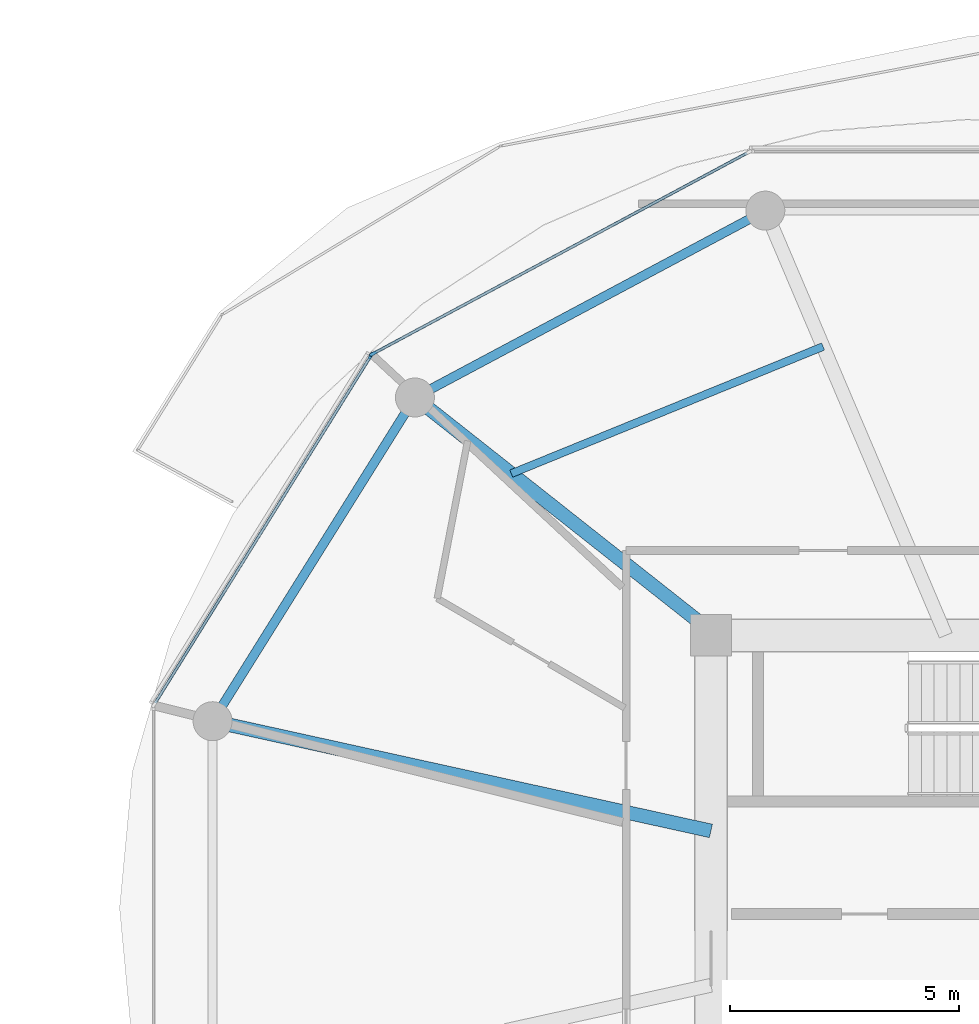
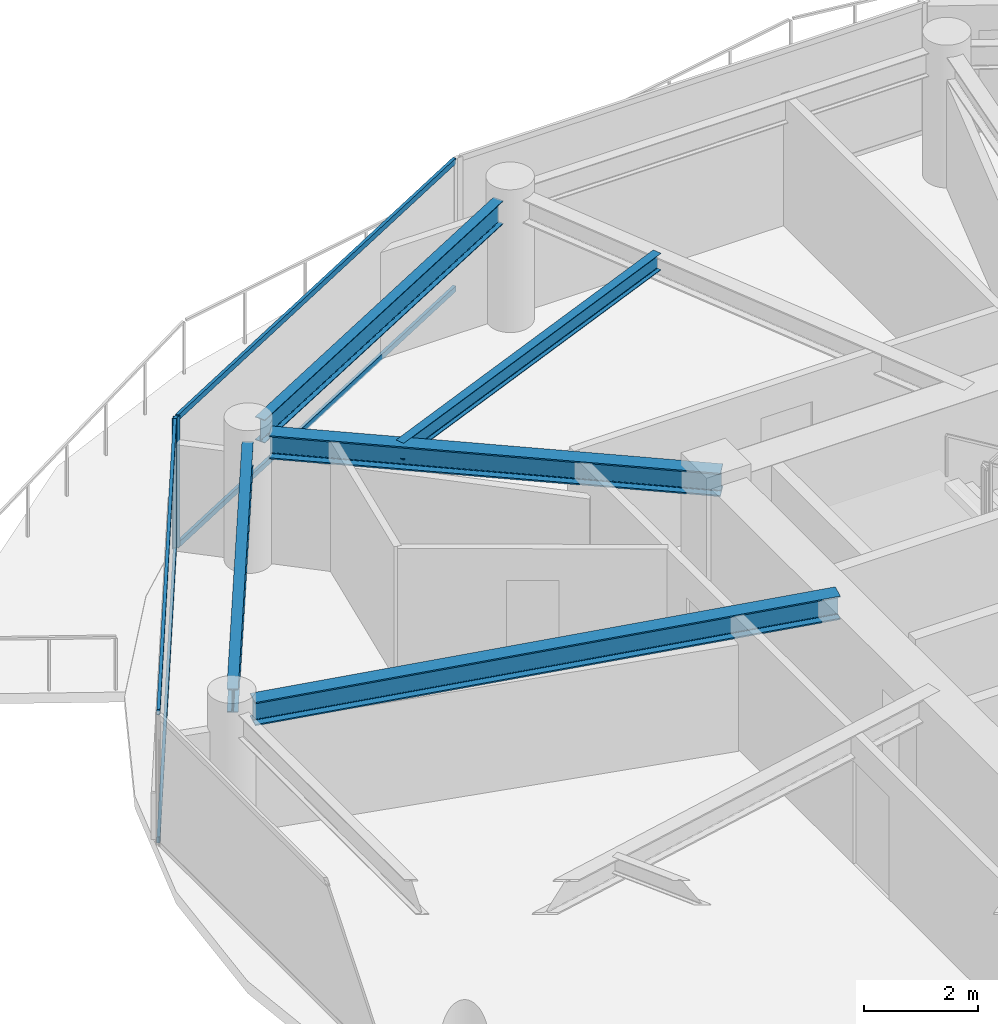
# One storey, part 8 of 24: 6 members, 5 beams, 2 elements without a shape of their own.
"""IFC4 building model written with IfcOpenShell, lengths in metres."""

from ifc_helpers import new_model, si_unit, direction, frame, origin, origin_2d, place, context, subcontext, project, spatial, rectangle, i_section, extrude, source, transform, mapped, material, layer, layer_set, material_profile, profile_set, type_object, type_shapes, element, aggregate, save


model = new_model("IFC4")

# Units and contexts
model_context = context("Model", 3, precision=1e-05, world=origin(), true_north=direction((0.0, 1.0)))
body_context = subcontext(model_context, "Body", "Model", "MODEL_VIEW")
ifc_project = project(units=[si_unit("LENGTHUNIT", "METRE"), si_unit("AREAUNIT", "SQUARE_METRE"), si_unit("VOLUMEUNIT", "CUBIC_METRE"), si_unit("PLANEANGLEUNIT", "RADIAN"), si_unit("MASSUNIT", "GRAM", prefix="KILO")], contexts=[model_context])

# Site, building, storey
site_placement = place(None, origin())
site = spatial("IfcSite", under=ifc_project, at=site_placement, CompositionType="ELEMENT")
building_placement = place(site_placement, origin())
building = spatial("IfcBuilding", under=site, at=building_placement, Name="Norrkilde Senior Care Towers", CompositionType="ELEMENT")
storey_placement = place(building_placement, frame((0.0, 0.0, 111.5)))
storey = spatial("IfcBuildingStorey", under=building, at=storey_placement, Name="L34", CompositionType="ELEMENT", Elevation=111.5)

# Beams
ifc_material_1 = material(Name="Steel S355", Category="steel")
ifc_material_profile_1 = material_profile(ifc_material_1, i_section(OverallWidth=0.199951171875, OverallDepth=0.5, WebThickness=0.01025390625, FlangeThickness=0.01611328125, FilletRadius=0.02099609375, at=origin_2d()), Name="IPE 500")
ifc_profile_set_1 = profile_set([ifc_material_profile_1], Name="Steel S355")
beam_type_1 = type_object("IfcBeamType", Name="Perimeter Ring Spandrel Z2 IPE500", PredefinedType="SPANDREL", material=ifc_profile_set_1)
shared_shape_1 = source(origin(), body_context, "Body", "SweptSolid", [
    extrude(i_section(OverallWidth=0.199951171875, OverallDepth=0.5, WebThickness=0.01025390625, FlangeThickness=0.01611328125, FilletRadius=0.02099609375, at=origin_2d()), origin(), (0.0, 0.0, 1.0), 7.55615234375),
])
beam_1_placement = place(storey_placement, frame((13.689697265625, 10.810546875, 2.5400390625), z_axis=(-0.529981514254, -0.848009194849, 0.0), x_axis=(0.848009194849, -0.529981514254, 0.0)))
element("IfcBeam", 1, at=beam_1_placement, inside=storey, type_object=beam_type_1, Name="L34 Drum E Perimeter Spandrel 05", PredefinedType="SPANDREL", context=body_context, shape_type="MappedRepresentation", body=[
    mapped(shared_shape_1, transform((0.0, 0.0, 0.0), x_axis=(1.0, 0.0, 0.0), y_axis=(0.0, 1.0, 0.0), z_axis=(0.0, 0.0, 1.0), scale=1.0)),
])
ifc_material_profile_2 = material_profile(ifc_material_1, i_section(OverallWidth=0.300048828125, OverallDepth=0.5, WebThickness=0.014404296875, FlangeThickness=0.028076171875, FilletRadius=0.027099609375, at=origin_2d()), Name="HEB 500")
ifc_profile_set_2 = profile_set([ifc_material_profile_2], Name="Steel S355")
beam_type_2 = type_object("IfcBeamType", Name="Radial Floor Beam Z2 HEB500", PredefinedType="BEAM", material=ifc_profile_set_2)
shared_shape_2 = source(origin(), body_context, "Body", "SweptSolid", [
    extrude(i_section(OverallWidth=0.300048828125, OverallDepth=0.5, WebThickness=0.014404296875, FlangeThickness=0.028076171875, FilletRadius=0.027099609375, at=origin_2d()), origin(), (0.0, 0.0, 1.0), 10.744384765625),
])
beam_2_placement = place(storey_placement, frame((20.35009765625, 1.683837890625, 2.5400390625), z_axis=(-0.976618711422, 0.214978818724, 0.0), x_axis=(-0.214978818724, -0.976618711422, 0.0)))
element("IfcBeam", 2, at=beam_2_placement, inside=storey, type_object=beam_type_2, Name="L34 Drum E Radial Floor Beam 06", PredefinedType="BEAM", context=body_context, shape_type="MappedRepresentation", body=[
    mapped(shared_shape_2, transform((0.0, 0.0, 0.0), x_axis=(1.0, 0.0, 0.0), y_axis=(0.0, 1.0, 0.0), z_axis=(0.0, 0.0, 1.0), scale=1.0)),
])
shared_shape_3 = source(origin(), body_context, "Body", "SweptSolid", [
    extrude(i_section(OverallWidth=0.199951171875, OverallDepth=0.5, WebThickness=0.01025390625, FlangeThickness=0.01611328125, FilletRadius=0.02099609375, at=origin_2d()), origin(), (0.0, 0.0, 1.0), 7.892333984375),
])
type_shapes(beam_type_1, [shared_shape_1, shared_shape_3])
beam_3_placement = place(storey_placement, frame((21.197509765625, 15.0322265625, 2.5400390625), z_axis=(-0.882350372282, -0.47059305194, 0.0), x_axis=(0.47059305194, -0.882350372282, 0.0)))
element("IfcBeam", 3, at=beam_3_placement, inside=storey, type_object=beam_type_1, Name="L34 Drum E Perimeter Spandrel 04", PredefinedType="SPANDREL", context=body_context, shape_type="MappedRepresentation", body=[
    mapped(shared_shape_3, transform((0.0, 0.0, 0.0), x_axis=(1.0, 0.0, 0.0), y_axis=(0.0, 1.0, 0.0), z_axis=(0.0, 0.0, 1.0), scale=1.0)),
])
shared_shape_4 = source(origin(), body_context, "Body", "SweptSolid", [
    extrude(i_section(OverallWidth=0.300048828125, OverallDepth=0.5, WebThickness=0.014404296875, FlangeThickness=0.028076171875, FilletRadius=0.027099609375, at=origin_2d()), origin(), (0.0, 0.0, 1.0), 7.985595703125),
])
type_shapes(beam_type_2, [shared_shape_2, shared_shape_4])
beam_4_placement = place(storey_placement, frame((20.463623046875, 5.949951171875, 2.5400390625), z_axis=(-0.784858505144, 0.619675017169, 0.0), x_axis=(-0.619675017169, -0.784858505144, 0.0)))
element("IfcBeam", 4, at=beam_4_placement, inside=storey, type_object=beam_type_2, Name="L34 Drum E Radial Floor Beam 05", PredefinedType="BEAM", context=body_context, shape_type="MappedRepresentation", body=[
    mapped(shared_shape_4, transform((0.0, 0.0, 0.0), x_axis=(1.0, 0.0, 0.0), y_axis=(0.0, 1.0, 0.0), z_axis=(0.0, 0.0, 1.0), scale=1.0)),
])
ifc_material_profile_3 = material_profile(ifc_material_1, i_section(OverallWidth=0.169921875, OverallDepth=0.360107421875, WebThickness=0.008056640625, FlangeThickness=0.0126953125, FilletRadius=0.01806640625, at=origin_2d()), Name="IPE 360")
ifc_profile_set_3 = profile_set([ifc_material_profile_3], Name="Steel S355")
beam_type_3 = type_object("IfcBeamType", Name="Secondary Floor Joist IPE360", PredefinedType="JOIST", material=ifc_profile_set_3)
shared_shape_5 = source(origin(), body_context, "Body", "SweptSolid", [
    extrude(i_section(OverallWidth=0.169921875, OverallDepth=0.360107421875, WebThickness=0.008056640625, FlangeThickness=0.0126953125, FilletRadius=0.01806640625, at=origin_2d()), origin(), (0.0, 0.0, 1.0), 7.343505859375),
])
type_shapes(beam_type_3, [shared_shape_5])
beam_5_placement = place(storey_placement, frame((22.79638671875, 12.2490234375, 2.610107421875), z_axis=(-0.926021784767, -0.377470070519, 0.0), x_axis=(0.377470070519, -0.926021784767, 0.0)))
element("IfcBeam", 5, at=beam_5_placement, inside=storey, type_object=beam_type_3, Name="L34 Drum E Secondary Floor Joist 2", PredefinedType="JOIST", context=body_context, shape_type="MappedRepresentation", body=[
    mapped(shared_shape_5, transform((0.0, 0.0, 0.0), x_axis=(1.0, 0.0, 0.0), y_axis=(0.0, 1.0, 0.0), z_axis=(0.0, 0.0, 1.0), scale=1.0)),
])

# Curtain wall, member
ifc_material_2 = material(Name="Triple Low-E Insulated Glazing", Category="glass")
ifc_layer = layer(ifc_material_2, 0.195068359375)
ifc_layer_set = layer_set([ifc_layer], Name="Triple Low-E Insulated Glazing")
curtain_wall_type = type_object("IfcCurtainWallType", Name="CW3 Zone 2 Assisted Living Curtain Wall", PredefinedType="NOTDEFINED", material=ifc_layer_set)
curtain_wall_1_placement = place(storey_placement, origin())
curtain_wall_1 = element("IfcCurtainWall", 6, at=curtain_wall_1_placement, inside=storey, type_object=curtain_wall_type, Name="L34 Drum E Curtain Wall 03", PredefinedType="NOTDEFINED")
ifc_material_3 = material(Name="Anodised Aluminium", Category="aluminium")
ifc_material_profile_4 = material_profile(ifc_material_3, rectangle(XDim=0.06494140625, YDim=0.159912109375, at=origin_2d()), Name="ALU MULL 65x160")
ifc_profile_set_4 = profile_set([ifc_material_profile_4], Name="Anodised Aluminium")
member_type_1 = type_object("IfcMemberType", Name="Curtain Wall Mullion Z1-Z2 65x160", PredefinedType="MULLION", material=ifc_profile_set_4)
shared_shape_6 = source(origin(), body_context, "Body", "SweptSolid", [
    extrude(rectangle(XDim=0.06494140625, YDim=0.159912109375, at=origin_2d()), origin(), (0.0, 0.0, 1.0), 2.7900390625),
])
type_shapes(member_type_1, [shared_shape_6])
member_1_placement = place(storey_placement, frame((12.98193359375, 12.0927734375, 0.0), z_axis=(0.0, 0.0, 1.0), x_axis=(-0.472769402511, 0.881186184668, 0.0)))
member_1 = element("IfcMember", 7, at=member_1_placement, type_object=member_type_1, Name="CW-3 mullion 1", PredefinedType="MULLION", context=body_context, shape_type="MappedRepresentation", body=[
    mapped(shared_shape_6, transform((0.0, 0.0, 0.0), x_axis=(1.0, 0.0, 0.0), y_axis=(0.0, 1.0, 0.0), z_axis=(0.0, 0.0, 1.0), scale=1.0)),
])

# Curtain wall, members
curtain_wall_2_placement = place(storey_placement, origin())
curtain_wall_2 = element("IfcCurtainWall", 8, at=curtain_wall_2_placement, inside=storey, type_object=curtain_wall_type, Name="L34 Drum E Curtain Wall 04", PredefinedType="NOTDEFINED")
member_2_placement = place(storey_placement, frame((12.936279296875, 12.0498046875, 0.0), z_axis=(0.0, 0.0, 1.0), x_axis=(-0.849410171862, 0.527733228002, 0.0)))
member_2 = element("IfcMember", 9, at=member_2_placement, type_object=member_type_1, Name="CW-3 mullion 2", PredefinedType="MULLION", context=body_context, shape_type="MappedRepresentation", body=[
    mapped(shared_shape_6, transform((0.0, 0.0, 0.0), x_axis=(1.0, 0.0, 0.0), y_axis=(0.0, 1.0, 0.0), z_axis=(0.0, 0.0, 1.0), scale=1.0)),
])
ifc_material_profile_5 = material_profile(ifc_material_3, rectangle(XDim=0.06005859375, YDim=0.1201171875, at=origin_2d()), Name="ALU TRAN 60x120")
ifc_profile_set_5 = profile_set([ifc_material_profile_5], Name="Anodised Aluminium")
member_type_2 = type_object("IfcMemberType", Name="Curtain Wall Transom Typical 60x120", PredefinedType="USERDEFINED", material=ifc_profile_set_5)
shared_shape_7 = source(origin(), body_context, "Body", "SweptSolid", [
    extrude(rectangle(XDim=0.06005859375, YDim=0.1201171875, at=origin_2d()), origin(), (0.0, 0.0, 1.0), 8.88427734375),
])
member_3_placement = place(storey_placement, frame((8.23046875, 4.475830078125, 0.030029296875), z_axis=(0.527749293309, 0.849400190377, 0.0), x_axis=(-0.849400190377, 0.527749293309, 0.0)))
member_3 = element("IfcMember", 10, at=member_3_placement, type_object=member_type_2, Name="CW-3 transom 1.1", ObjectType="TRANSOM", PredefinedType="USERDEFINED", context=body_context, shape_type="MappedRepresentation", body=[
    mapped(shared_shape_7, transform((0.0, 0.0, 0.0), x_axis=(1.0, 0.0, 0.0), y_axis=(0.0, 1.0, 0.0), z_axis=(0.0, 0.0, 1.0), scale=1.0)),
])
member_4_placement = place(storey_placement, frame((8.23046875, 4.475830078125, 2.760009765625), z_axis=(0.527749293309, 0.849400190377, 0.0), x_axis=(-0.849400190377, 0.527749293309, 0.0)))
member_4 = element("IfcMember", 11, at=member_4_placement, type_object=member_type_2, Name="CW-3 transom 1.2", ObjectType="TRANSOM", PredefinedType="USERDEFINED", context=body_context, shape_type="MappedRepresentation", body=[
    mapped(shared_shape_7, transform((0.0, 0.0, 0.0), x_axis=(1.0, 0.0, 0.0), y_axis=(0.0, 1.0, 0.0), z_axis=(0.0, 0.0, 1.0), scale=1.0)),
])
aggregate(curtain_wall_2, [member_2, member_3, member_4])

# Member
shared_shape_8 = source(origin(), body_context, "Body", "SweptSolid", [
    extrude(rectangle(XDim=0.06005859375, YDim=0.1201171875, at=origin_2d()), origin(), (0.0, 0.0, 1.0), 9.220458984375),
])
type_shapes(member_type_2, [shared_shape_7, shared_shape_8])
member_5_placement = place(storey_placement, frame((13.0107421875, 12.108154296875, 0.030029296875), z_axis=(0.881188517866, 0.472765053681, 0.0), x_axis=(-0.472765053681, 0.881188517866, 0.0)))
member_5 = element("IfcMember", 12, at=member_5_placement, type_object=member_type_2, Name="CW-3 transom 1.1", ObjectType="TRANSOM", PredefinedType="USERDEFINED", context=body_context, shape_type="MappedRepresentation", body=[
    mapped(shared_shape_8, transform((0.0, 0.0, 0.0), x_axis=(1.0, 0.0, 0.0), y_axis=(0.0, 1.0, 0.0), z_axis=(0.0, 0.0, 1.0), scale=1.0)),
])

member_6_placement = place(storey_placement, frame((13.0107421875, 12.108154296875, 2.760009765625), z_axis=(0.881188517866, 0.472765053681, 0.0), x_axis=(-0.472765053681, 0.881188517866, 0.0)))
member_6 = element("IfcMember", 13, at=member_6_placement, type_object=member_type_2, Name="CW-3 transom 1.2", ObjectType="TRANSOM", PredefinedType="USERDEFINED", context=body_context, shape_type="MappedRepresentation", body=[
    mapped(shared_shape_8, transform((0.0, 0.0, 0.0), x_axis=(1.0, 0.0, 0.0), y_axis=(0.0, 1.0, 0.0), z_axis=(0.0, 0.0, 1.0), scale=1.0)),
])

aggregate(curtain_wall_1, [member_1, member_5, member_6])

save(model, "model.ifc")
